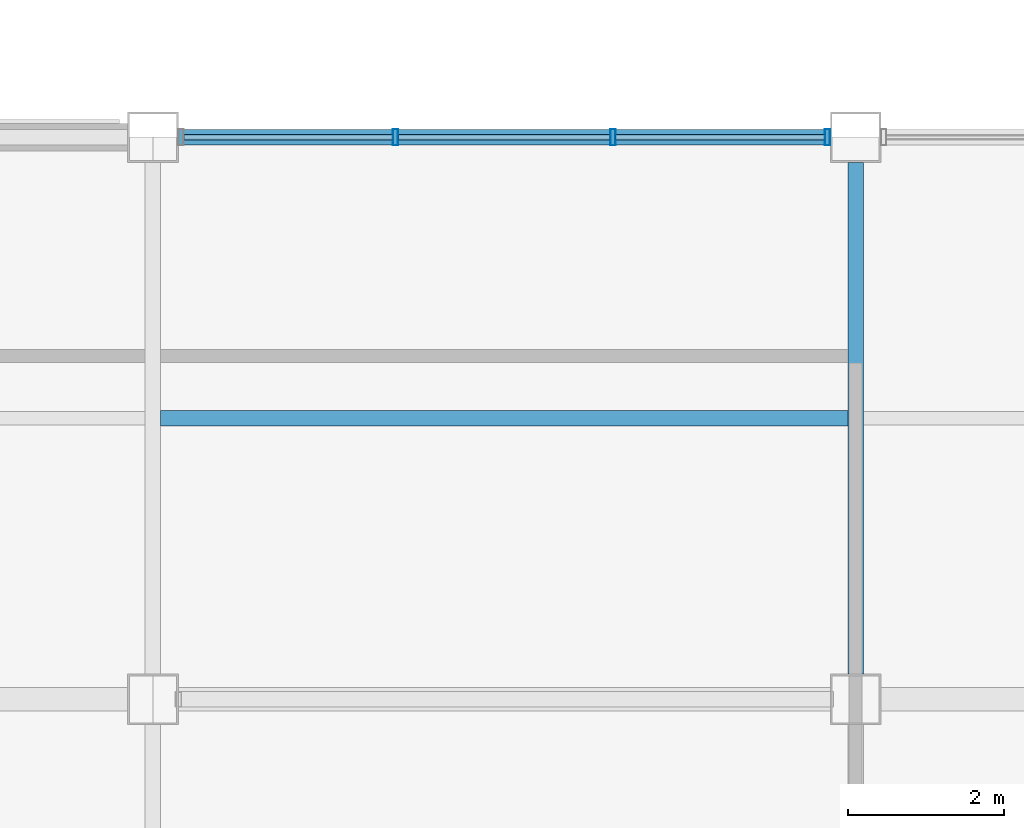
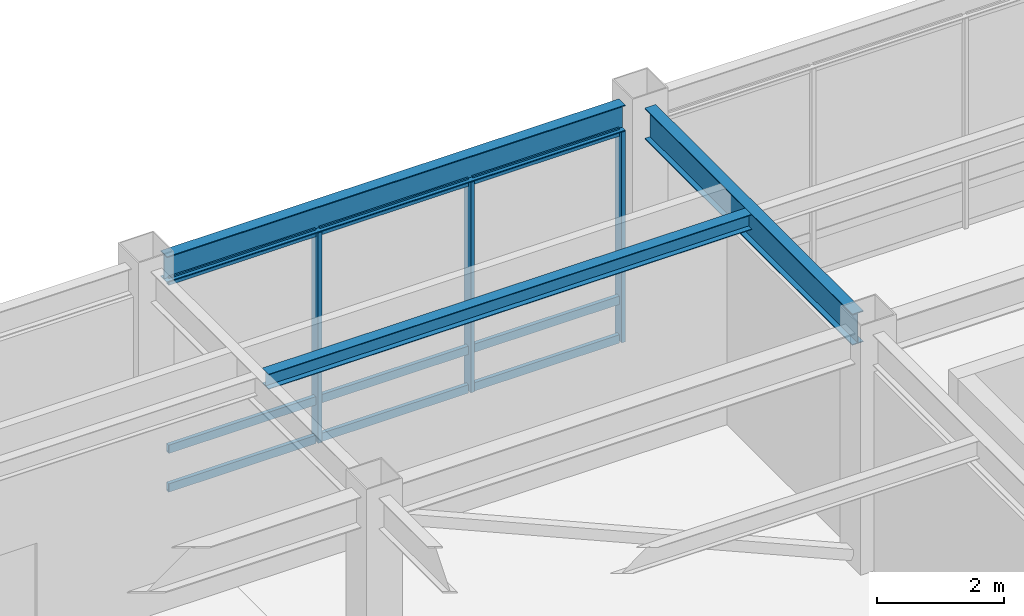
# One storey, part 37 of 112: 12 members, 3 beams, 1 element without a shape of its own.
"""IFC4 building model written with IfcOpenShell, lengths in metres."""

import ifcopenshell
import ifcopenshell.guid

model = None  # the IFC model being written
_history = None  # IfcOwnerHistory: only IFC2X3 demands one
_inside = {}  # id of a spatial element -> (the spatial element, [elements in it])
_under = {}  # id of a project, library or spatial element -> (it, [spatial elements below it])
_declared = {}  # id of a project -> (the project, [libraries it declares])
_typed = {}  # id of a type object -> (the type object, [elements of that type])
_made_of = {}  # id of a material, layer set ... -> (it, [elements and type objects made of it])


def new_model(schema):
    """Start an empty IFC model of exactly this schema.

    Asked for "IFC4X3", IfcOpenShell would pick the latest addendum, in which some entities
    have other attributes; the version numbers below select the first issue.
    IFC2X3 requires an IfcOwnerHistory on every rooted entity: one is made here for all.
    """
    global model, _history
    if schema == "IFC4X3":
        model = ifcopenshell.file(schema_version=(4, 3, 0, 0))
    else:
        model = ifcopenshell.file(schema=schema)
    _inside.clear()
    _under.clear()
    _declared.clear()
    _typed.clear()
    _made_of.clear()
    _history = None
    if model.schema == "IFC2X3":
        org = make("IfcOrganization", Name="unknown")
        user = make(
            "IfcPersonAndOrganization",
            ThePerson=make("IfcPerson", FamilyName="unknown"),
            TheOrganization=org,
        )
        app = make(
            "IfcApplication",
            ApplicationDeveloper=org,
            Version="unknown",
            ApplicationFullName="unknown",
            ApplicationIdentifier="unknown",
        )
        _history = make(
            "IfcOwnerHistory",
            OwningUser=user,
            OwningApplication=app,
            ChangeAction="ADDED",
            CreationDate=0,
        )
    return model


def make(cls, **values):
    """One entity of the class cls with the attributes given. An attribute that is None is left unset."""
    return model.create_entity(
        cls, **{name: value for name, value in values.items() if value is not None}
    )


def rooted(cls, **values):
    """An entity with a GlobalId (a new one), such as an element, a storey or a relation."""
    return make(cls, GlobalId=ifcopenshell.guid.new(), OwnerHistory=_history, **values)


def si_unit(unit_type, name, prefix=None):
    """IfcSIUnit, for example si_unit("LENGTHUNIT", "METRE", prefix="MILLI")."""
    return make("IfcSIUnit", UnitType=unit_type, Prefix=prefix, Name=name)


def assignment(units):
    """IfcUnitAssignment: the units of a project."""
    return None if units is None else make("IfcUnitAssignment", Units=units)


def point(xyz):
    """IfcCartesianPoint."""
    return None if xyz is None else make("IfcCartesianPoint", Coordinates=xyz)


def direction(xyz):
    """IfcDirection."""
    return None if xyz is None else make("IfcDirection", DirectionRatios=xyz)


def frame(location, z_axis=None, x_axis=None):
    """IfcAxis2Placement3D, a coordinate frame: its origin and axes. An axis left out is left unset."""
    return make(
        "IfcAxis2Placement3D",
        Location=point(location),
        Axis=direction(z_axis),
        RefDirection=direction(x_axis),
    )


def frame_2d(location, x_axis=None):
    """IfcAxis2Placement2D, a coordinate frame in the plane: its origin and x axis."""
    return make(
        "IfcAxis2Placement2D", Location=point(location), RefDirection=direction(x_axis)
    )


def origin():
    """The frame at (0, 0, 0) with its axes left unset."""
    return frame((0.0, 0.0, 0.0))


def origin_2d():
    """The frame at (0, 0) in the plane with its x axis left unset."""
    return frame_2d((0.0, 0.0))


def place(relative_to, where):
    """IfcLocalPlacement: puts the frame where relative to a parent placement (None: the world)."""
    return make(
        "IfcLocalPlacement", PlacementRelTo=relative_to, RelativePlacement=where
    )


def context(
    kind, dimensions, precision=None, world=None, true_north=None, identifier=None
):
    """IfcGeometricRepresentationContext, for example the 3D "Model" context."""
    return make(
        "IfcGeometricRepresentationContext",
        ContextIdentifier=identifier,
        ContextType=kind,
        CoordinateSpaceDimension=dimensions,
        Precision=precision,
        WorldCoordinateSystem=world,
        TrueNorth=true_north,
    )


def subcontext(parent, identifier, kind, view, scale=None):
    """IfcGeometricRepresentationSubContext, for example "Body" below "Model"."""
    return make(
        "IfcGeometricRepresentationSubContext",
        ContextIdentifier=identifier,
        ContextType=kind,
        ParentContext=parent,
        TargetScale=scale,
        TargetView=view,
    )


def project(units=None, contexts=None):
    """IfcProject with its units and contexts."""
    return rooted(
        "IfcProject",
        Name="project",
        RepresentationContexts=contexts,
        UnitsInContext=assignment(units),
    )


def spatial(cls, under=None, at=None, **own):
    """A site, building, storey or space (cls), placed at a placement, below another one or the project."""
    s = rooted(cls, ObjectPlacement=at, **own)
    if under is not None:
        _under.setdefault(under.id(), (under, []))[1].append(s)
    return s


def profile(cls, at=None, kind="AREA", **sizes):
    """A parametric profile (cls). Its sizes go by their IFC names, for example OverallWidth=200.0."""
    return make(cls, ProfileType=kind, Position=at, **sizes)


def hollow_rectangle(**sizes):
    """IfcRectangleHollowProfileDef."""
    return profile("IfcRectangleHollowProfileDef", **sizes)


def i_section(**sizes):
    """IfcIShapeProfileDef."""
    return profile("IfcIShapeProfileDef", **sizes)


def extrude(swept, where, along, depth):
    """IfcExtrudedAreaSolid: the profile swept, set in the frame where, extruded along a direction by depth."""
    return make(
        "IfcExtrudedAreaSolid",
        SweptArea=swept,
        Position=where,
        ExtrudedDirection=direction(along),
        Depth=depth,
    )


def shape(context_of_items, identifier, shape_type, items):
    """IfcShapeRepresentation: the items that make up one representation, for example the "Body"."""
    return make(
        "IfcShapeRepresentation",
        ContextOfItems=context_of_items,
        RepresentationIdentifier=identifier,
        RepresentationType=shape_type,
        Items=items,
    )


def material(Name=None, Category=None):
    """IfcMaterial."""
    return make("IfcMaterial", Name=Name, Category=Category)


def material_profile(
    of_material, cross_section, Name=None, Category=None, Priority=None
):
    """IfcMaterialProfile: a cross section and its material."""
    return make(
        "IfcMaterialProfile",
        Name=Name,
        Material=of_material,
        Profile=cross_section,
        Priority=Priority,
        Category=Category,
    )


def profile_set(profiles, Name=None, composite=None):
    """IfcMaterialProfileSet."""
    return make(
        "IfcMaterialProfileSet",
        Name=Name,
        MaterialProfiles=profiles,
        CompositeProfile=composite,
    )


def made_of(thing, what):
    """Note that an element or type object is made of a material, layer set ...; save() writes the relation."""
    if what is not None:
        _made_of.setdefault(what.id(), (what, []))[1].append(thing)
    return thing


def type_object(cls, material=None, **own):
    """A type object (cls), such as IfcWallType, which elements share."""
    return made_of(rooted(cls, **own), material)


def element(
    cls,
    number,
    at=None,
    inside=None,
    cuts=None,
    type_object=None,
    material=None,
    context=None,
    identifier="Body",
    shape_type=None,
    held_by="IfcProductDefinitionShape",
    body=None,
    shapes=None,
    **own,
):
    """One element of the class cls, such as IfcWall. Its Tag is "e" and its number.

    at: its placement. inside: the storey or other place that contains it. cuts: it is an
    opening in that element (IfcRelVoidsElement). A single representation is given by context,
    identifier, shape_type and body (its items); several are given by shapes. held_by: the class
    of the entity that holds the representations. save() writes the other relations.
    """
    e = rooted(cls, Tag="e%d" % number, ObjectPlacement=at, **own)
    if body is not None:
        shapes = [shape(context, identifier, shape_type, body)]
    if shapes is not None:
        e.Representation = make(held_by, Representations=shapes)
    if inside is not None:
        _inside.setdefault(inside.id(), (inside, []))[1].append(e)
    if cuts is not None:
        rooted(
            "IfcRelVoidsElement", RelatingBuildingElement=cuts, RelatedOpeningElement=e
        )
    if type_object is not None:
        _typed.setdefault(type_object.id(), (type_object, []))[1].append(e)
    return made_of(e, material)


def aggregate(whole, parts):
    """IfcRelAggregates: a whole, such as a stair, and the parts it consists of."""
    return rooted("IfcRelAggregates", RelatingObject=whole, RelatedObjects=parts)


def save(model, path):
    """Write the relations noted so far, then the file.

    IfcRelAggregates (storeys below a building ...), IfcRelContainedInSpatialStructure (elements
    in a storey), IfcRelDefinesByType, IfcRelAssociatesMaterial and IfcRelDeclares: one each for
    every whole, place, type object, material and project.
    """
    for whole, parts in _under.values():
        aggregate(whole, parts)
    for where, things in _inside.values():
        rooted(
            "IfcRelContainedInSpatialStructure",
            RelatedElements=things,
            RelatingStructure=where,
        )
    for kind, things in _typed.values():
        rooted("IfcRelDefinesByType", RelatedObjects=things, RelatingType=kind)
    for what, things in _made_of.values():
        rooted("IfcRelAssociatesMaterial", RelatedObjects=things, RelatingMaterial=what)
    for by, libraries in _declared.values():
        rooted("IfcRelDeclares", RelatingContext=by, RelatedDefinitions=libraries)
    model.write(path)


model = new_model("IFC4")

# Units and contexts
model_context = context("Model", 3, precision=1e-05, world=origin(), true_north=direction((0.0, 1.0)))
body_context = subcontext(model_context, "Body", "Model", "MODEL_VIEW")
ifc_project = project(units=[si_unit("LENGTHUNIT", "METRE"), si_unit("AREAUNIT", "SQUARE_METRE"), si_unit("VOLUMEUNIT", "CUBIC_METRE"), si_unit("PLANEANGLEUNIT", "RADIAN"), si_unit("MASSUNIT", "GRAM", prefix="KILO")], contexts=[model_context])

# Site, building, storey
site_placement = place(None, origin())
site = spatial("IfcSite", under=ifc_project, at=site_placement, CompositionType="ELEMENT")
building_placement = place(site_placement, origin())
building = spatial("IfcBuilding", under=site, at=building_placement, Name="Kazanami Central Library", CompositionType="ELEMENT")
storey_placement = place(building_placement, origin())
storey = spatial("IfcBuildingStorey", under=building, at=storey_placement, Name="L01", CompositionType="ELEMENT", Elevation=0.0)

# Beams
ifc_material_1 = material(Name="Steel SN400B (235 MPa)", Category="steel")
ifc_material_profile_1 = material_profile(ifc_material_1, i_section(OverallWidth=0.199951171875, OverallDepth=0.2939453125, WebThickness=0.008056640625, FlangeThickness=0.011962890625, at=origin_2d()), Name="H-294x200x8x12")
ifc_profile_set_1 = profile_set([ifc_material_profile_1], Name="Steel SN400B (235 MPa)")
beam_type_1 = type_object("IfcBeamType", Name="BM-B-S5", PredefinedType="JOIST", material=ifc_profile_set_1)
beam_1_placement = place(storey_placement, frame((63.097900390625, 32.39990234375, 4.407958984375), z_axis=(1.0, 0.0, 0.0), x_axis=(0.0, 1.0, 0.0)))
element("IfcBeam", 1, at=beam_1_placement, inside=storey, type_object=beam_type_1, Name="Composite Secondary Joist B-S5 L01 Bay 8/E.1", PredefinedType="JOIST", context=body_context, shape_type="SweptSolid", body=[
    extrude(i_section(OverallWidth=0.199951171875, OverallDepth=0.2939453125, WebThickness=0.008056640625, FlangeThickness=0.011962890625, at=origin_2d()), origin(), (0.0, 0.0, 1.0), 8.80419921875),
])
ifc_material_2 = material(Name="Steel SN490B (325 MPa)", Category="steel")
ifc_material_profile_2 = material_profile(ifc_material_2, i_section(OverallWidth=0.199951171875, OverallDepth=0.60009765625, WebThickness=0.010986328125, FlangeThickness=0.01708984375, at=origin_2d()), Name="H-600x200x11x17")
ifc_profile_set_2 = profile_set([ifc_material_profile_2], Name="Steel SN490B (325 MPa)")
beam_type_2 = type_object("IfcBeamType", Name="BM-G-Y1", PredefinedType="BEAM", material=ifc_profile_set_2)
beam_2_placement = place(storey_placement, frame((72.0, 29.123046875, 4.2548828125), z_axis=(0.0, 1.0, 0.0), x_axis=(-1.0, 0.0, 0.0)))
element("IfcBeam", 2, at=beam_2_placement, inside=storey, type_object=beam_type_2, Name="Girder G-Y1 L01 9/E-F", PredefinedType="BEAM", context=body_context, shape_type="SweptSolid", body=[
    extrude(i_section(OverallWidth=0.199951171875, OverallDepth=0.60009765625, WebThickness=0.010986328125, FlangeThickness=0.01708984375, at=origin_2d()), origin(), (0.0, 0.0, 1.0), 6.553955078125),
])
ifc_material_profile_3 = material_profile(ifc_material_2, i_section(OverallWidth=0.199951171875, OverallDepth=0.5, WebThickness=0.010009765625, FlangeThickness=0.01611328125, at=origin_2d()), Name="H-500x200x10x16")
ifc_profile_set_3 = profile_set([ifc_material_profile_3], Name="Steel SN490B (325 MPa)")
beam_type_3 = type_object("IfcBeamType", Name="BM-SP-1", PredefinedType="SPANDREL", material=ifc_profile_set_3)
beam_3_placement = place(storey_placement, frame((63.322998046875, 36.0, 4.304931640625), z_axis=(1.0, 0.0, 0.0), x_axis=(0.0, 1.0, 0.0)))
element("IfcBeam", 3, at=beam_3_placement, inside=storey, type_object=beam_type_3, Name="Girder SP-1 L01 F/8-9", PredefinedType="SPANDREL", context=body_context, shape_type="SweptSolid", body=[
    extrude(i_section(OverallWidth=0.199951171875, OverallDepth=0.5, WebThickness=0.010009765625, FlangeThickness=0.01611328125, at=origin_2d()), origin(), (0.0, 0.0, 1.0), 8.35400390625),
])

# Curtain wall, members
ifc_material_3 = material(Name="Acid-Etched Low-E Laminated Glass", Category="glass")
curtain_wall_type = type_object("IfcCurtainWallType", Name="CW-8350x4055-M275", PredefinedType="USERDEFINED", material=ifc_material_3)
curtain_wall_placement = place(storey_placement, origin())
curtain_wall = element("IfcCurtainWall", 4, at=curtain_wall_placement, inside=storey, type_object=curtain_wall_type, Name="Unitised Curtain Wall CW-03 L01 N-F-07", ObjectType="UNITISED CURTAIN WALL", PredefinedType="USERDEFINED")
ifc_material_4 = material(Name="Anodised Aluminium A6063-T5", Category="aluminium")
ifc_material_profile_4 = material_profile(ifc_material_4, hollow_rectangle(XDim=0.070068359375, YDim=0.2099609375, WallThickness=0.0048828125, at=origin_2d()), Name="ALU-MULL-70x210x5")
ifc_profile_set_4 = profile_set([ifc_material_profile_4], Name="Anodised Aluminium A6063-T5")
member_type_1 = type_object("IfcMemberType", Name="MEM-CW-M1", PredefinedType="MULLION", material=ifc_profile_set_4)
member_1_placement = place(storey_placement, frame((71.639892578125, 36.0, 0.0), z_axis=(0.0, 0.0, 1.0), x_axis=(-1.0, 0.0, 0.0)))
member_1 = element("IfcMember", 5, at=member_1_placement, type_object=member_type_1, Name="CW-03 mullion 1", PredefinedType="MULLION", context=body_context, shape_type="SweptSolid", body=[
    extrude(hollow_rectangle(XDim=0.070068359375, YDim=0.2099609375, WallThickness=0.0048828125, at=origin_2d()), origin(), (0.0, 0.0, 1.0), 4.054931640625),
])
member_2_placement = place(storey_placement, frame((68.8916015625, 36.0, 0.0), z_axis=(0.0, 0.0, 1.0), x_axis=(-1.0, 0.0, 0.0)))
member_2 = element("IfcMember", 6, at=member_2_placement, type_object=member_type_1, Name="CW-03 mullion 2", PredefinedType="MULLION", context=body_context, shape_type="SweptSolid", body=[
    extrude(hollow_rectangle(XDim=0.070068359375, YDim=0.2099609375, WallThickness=0.0048828125, at=origin_2d()), origin(), (0.0, 0.0, 1.0), 4.054931640625),
])
member_3_placement = place(storey_placement, frame((66.1083984375, 36.0, 0.0), z_axis=(0.0, 0.0, 1.0), x_axis=(-1.0, 0.0, 0.0)))
member_3 = element("IfcMember", 7, at=member_3_placement, type_object=member_type_1, Name="CW-03 mullion 3", PredefinedType="MULLION", context=body_context, shape_type="SweptSolid", body=[
    extrude(hollow_rectangle(XDim=0.070068359375, YDim=0.2099609375, WallThickness=0.0048828125, at=origin_2d()), origin(), (0.0, 0.0, 1.0), 4.054931640625),
])
ifc_material_profile_5 = material_profile(ifc_material_4, hollow_rectangle(XDim=0.070068359375, YDim=0.159912109375, WallThickness=0.00390625, at=origin_2d()), Name="ALU-TRAN-70x160x4")
ifc_profile_set_5 = profile_set([ifc_material_profile_5], Name="Anodised Aluminium A6063-T5")
member_type_2 = type_object("IfcMemberType", Name="MEM-CW-T1", PredefinedType="USERDEFINED", material=ifc_profile_set_5)
member_4_placement = place(storey_placement, frame((71.60498046875, 36.0, 0.034912109375), z_axis=(-1.0, 0.0, 0.0), x_axis=(0.0, -1.0, 0.0)))
member_4 = element("IfcMember", 8, at=member_4_placement, type_object=member_type_2, Name="CW-03 transom 1.1", ObjectType="TRANSOM", PredefinedType="USERDEFINED", context=body_context, shape_type="SweptSolid", body=[
    extrude(hollow_rectangle(XDim=0.070068359375, YDim=0.159912109375, WallThickness=0.00390625, at=origin_2d()), origin(), (0.0, 0.0, 1.0), 2.67822265625),
])
member_5_placement = place(storey_placement, frame((71.60498046875, 36.0, 0.780029296875), z_axis=(-1.0, 0.0, 0.0), x_axis=(0.0, -1.0, 0.0)))
member_5 = element("IfcMember", 9, at=member_5_placement, type_object=member_type_2, Name="CW-03 transom 1.2", ObjectType="TRANSOM", PredefinedType="USERDEFINED", context=body_context, shape_type="SweptSolid", body=[
    extrude(hollow_rectangle(XDim=0.070068359375, YDim=0.159912109375, WallThickness=0.00390625, at=origin_2d()), origin(), (0.0, 0.0, 1.0), 2.67822265625),
])
member_6_placement = place(storey_placement, frame((71.60498046875, 36.0, 4.02001953125), z_axis=(-1.0, 0.0, 0.0), x_axis=(0.0, -1.0, 0.0)))
member_6 = element("IfcMember", 10, at=member_6_placement, type_object=member_type_2, Name="CW-03 transom 1.3", ObjectType="TRANSOM", PredefinedType="USERDEFINED", context=body_context, shape_type="SweptSolid", body=[
    extrude(hollow_rectangle(XDim=0.070068359375, YDim=0.159912109375, WallThickness=0.00390625, at=origin_2d()), origin(), (0.0, 0.0, 1.0), 2.67822265625),
])
member_7_placement = place(storey_placement, frame((68.856689453125, 36.0, 0.034912109375), z_axis=(-1.0, 0.0, 0.0), x_axis=(0.0, -1.0, 0.0)))
member_7 = element("IfcMember", 11, at=member_7_placement, type_object=member_type_2, Name="CW-03 transom 2.1", ObjectType="TRANSOM", PredefinedType="USERDEFINED", context=body_context, shape_type="SweptSolid", body=[
    extrude(hollow_rectangle(XDim=0.070068359375, YDim=0.159912109375, WallThickness=0.00390625, at=origin_2d()), origin(), (0.0, 0.0, 1.0), 2.71337890625),
])
member_8_placement = place(storey_placement, frame((68.856689453125, 36.0, 0.780029296875), z_axis=(-1.0, 0.0, 0.0), x_axis=(0.0, -1.0, 0.0)))
member_8 = element("IfcMember", 12, at=member_8_placement, type_object=member_type_2, Name="CW-03 transom 2.2", ObjectType="TRANSOM", PredefinedType="USERDEFINED", context=body_context, shape_type="SweptSolid", body=[
    extrude(hollow_rectangle(XDim=0.070068359375, YDim=0.159912109375, WallThickness=0.00390625, at=origin_2d()), origin(), (0.0, 0.0, 1.0), 2.71337890625),
])
member_9_placement = place(storey_placement, frame((68.856689453125, 36.0, 4.02001953125), z_axis=(-1.0, 0.0, 0.0), x_axis=(0.0, -1.0, 0.0)))
member_9 = element("IfcMember", 13, at=member_9_placement, type_object=member_type_2, Name="CW-03 transom 2.3", ObjectType="TRANSOM", PredefinedType="USERDEFINED", context=body_context, shape_type="SweptSolid", body=[
    extrude(hollow_rectangle(XDim=0.070068359375, YDim=0.159912109375, WallThickness=0.00390625, at=origin_2d()), origin(), (0.0, 0.0, 1.0), 2.71337890625),
])
member_10_placement = place(storey_placement, frame((66.0732421875, 36.0, 0.034912109375), z_axis=(-1.0, 0.0, 0.0), x_axis=(0.0, -1.0, 0.0)))
member_10 = element("IfcMember", 14, at=member_10_placement, type_object=member_type_2, Name="CW-03 transom 3.1", ObjectType="TRANSOM", PredefinedType="USERDEFINED", context=body_context, shape_type="SweptSolid", body=[
    extrude(hollow_rectangle(XDim=0.070068359375, YDim=0.159912109375, WallThickness=0.00390625, at=origin_2d()), origin(), (0.0, 0.0, 1.0), 2.67822265625),
])
member_11_placement = place(storey_placement, frame((66.0732421875, 36.0, 0.780029296875), z_axis=(-1.0, 0.0, 0.0), x_axis=(0.0, -1.0, 0.0)))
member_11 = element("IfcMember", 15, at=member_11_placement, type_object=member_type_2, Name="CW-03 transom 3.2", ObjectType="TRANSOM", PredefinedType="USERDEFINED", context=body_context, shape_type="SweptSolid", body=[
    extrude(hollow_rectangle(XDim=0.070068359375, YDim=0.159912109375, WallThickness=0.00390625, at=origin_2d()), origin(), (0.0, 0.0, 1.0), 2.67822265625),
])
member_12_placement = place(storey_placement, frame((66.0732421875, 36.0, 4.02001953125), z_axis=(-1.0, 0.0, 0.0), x_axis=(0.0, -1.0, 0.0)))
member_12 = element("IfcMember", 16, at=member_12_placement, type_object=member_type_2, Name="CW-03 transom 3.3", ObjectType="TRANSOM", PredefinedType="USERDEFINED", context=body_context, shape_type="SweptSolid", body=[
    extrude(hollow_rectangle(XDim=0.070068359375, YDim=0.159912109375, WallThickness=0.00390625, at=origin_2d()), origin(), (0.0, 0.0, 1.0), 2.67822265625),
])
aggregate(curtain_wall, [member_1, member_2, member_3, member_4, member_5, member_6, member_7, member_8, member_9, member_10, member_11, member_12])

save(model, "model.ifc")
